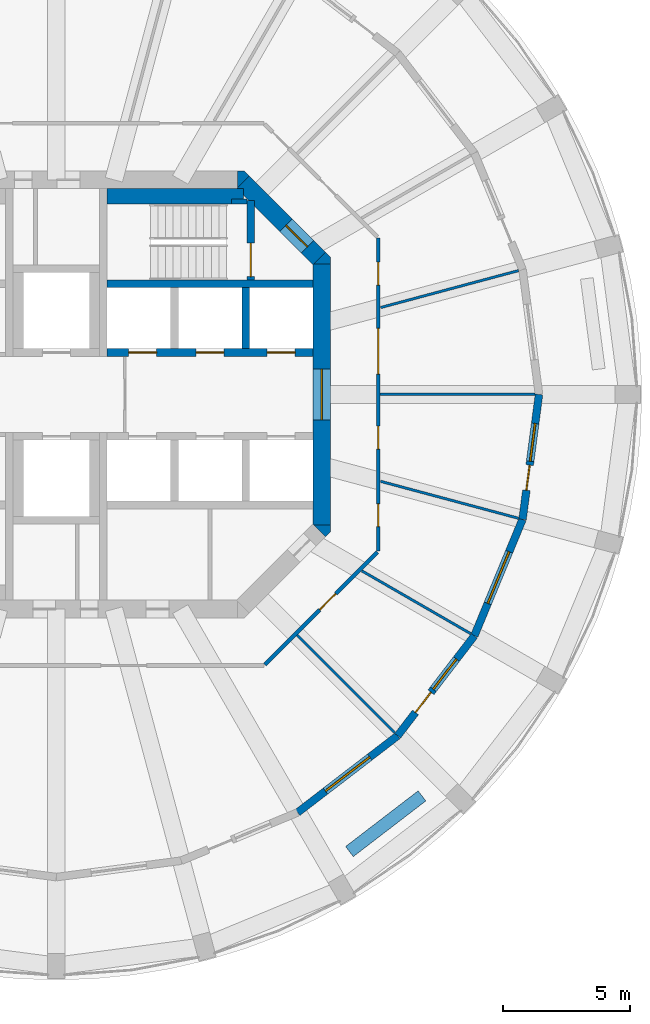
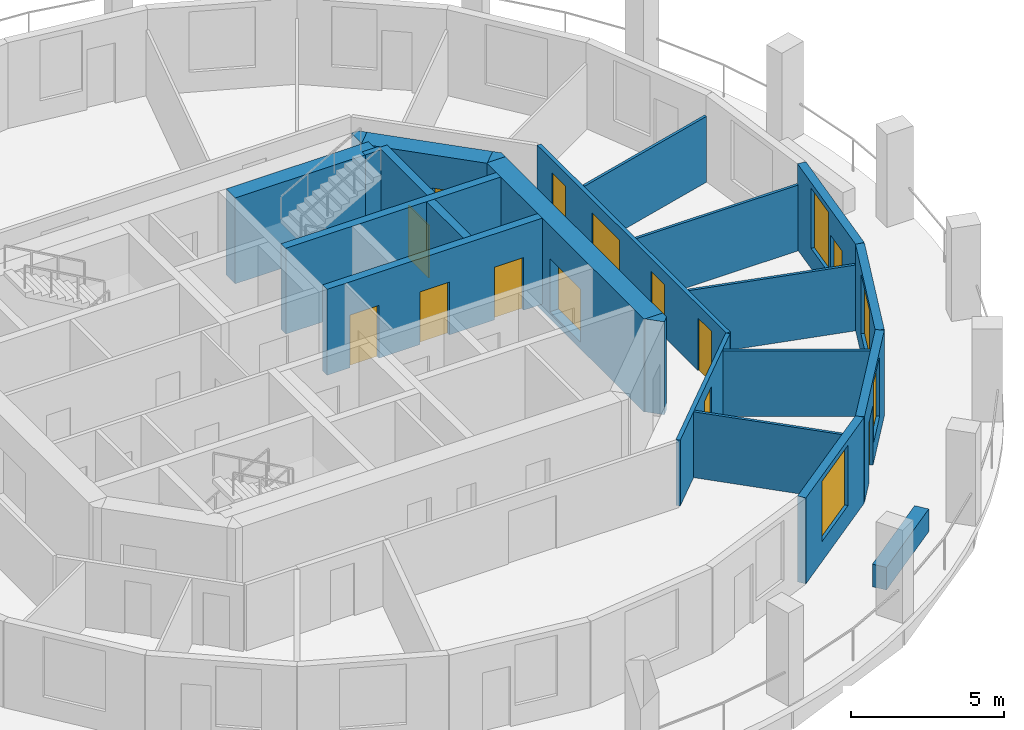
# One storey, part 5 of 9: 23 walls, 13 doors, 4 windows, 17 openings.
"""IFC4 building model written with IfcOpenShell, lengths in metres."""

from ifc_helpers import new_model, si_unit, direction, frame, frame_2d, origin, place, context, subcontext, project, spatial, polyline, rectangle, outline, extrude, material, layer, layer_set, type_object, element, fill, save


model = new_model("IFC4")

# Units and contexts
model_context = context("Model", 3, precision=1e-05, world=origin(), true_north=direction((0.0, 1.0)))
body_context = subcontext(model_context, "Body", "Model", "MODEL_VIEW")
ifc_project = project(units=[si_unit("LENGTHUNIT", "METRE"), si_unit("AREAUNIT", "SQUARE_METRE"), si_unit("VOLUMEUNIT", "CUBIC_METRE"), si_unit("PLANEANGLEUNIT", "RADIAN"), si_unit("MASSUNIT", "GRAM", prefix="KILO")], contexts=[model_context])

# Site, building, storey
site_placement = place(None, origin())
site = spatial("IfcSite", under=ifc_project, at=site_placement, CompositionType="ELEMENT")
building_placement = place(site_placement, origin())
building = spatial("IfcBuilding", under=site, at=building_placement, Name="Torre Triforio", CompositionType="ELEMENT")
storey_placement = place(building_placement, frame((0.0, 0.0, 154.199951171875)))
storey = spatial("IfcBuildingStorey", under=building, at=storey_placement, Name="L34", CompositionType="ELEMENT", Elevation=154.199951171875)

# Wall, opening, door
ifc_material_1 = material(Name="Concrete C50", Category="concrete")
ifc_layer_1 = layer(ifc_material_1, 0.699951171875)
ifc_layer_set_1 = layer_set([ifc_layer_1], Name="Concrete C50")
wall_type_1 = type_object("IfcWallType", Name="Core wall 700 mm C50 EI 120", PredefinedType="SHEAR", material=ifc_layer_set_1)
wall_1_placement = place(storey_placement, frame((10.449951171875, -5.1298828125, -0.280029296875), z_axis=(0.0, 0.0, 1.0), x_axis=(0.0, 1.0, 0.0)))
wall_1 = element("IfcWall", 1, at=wall_1_placement, inside=storey, type_object=wall_type_1, Name="Core wall", PredefinedType="SHEAR", context=body_context, shape_type="SweptSolid", body=[
    extrude(rectangle(XDim=10.259765625, YDim=0.699951171875, at=frame_2d((5.1298828125, 0.0))), origin(), (0.0, 0.0, 1.0), 3.7001953125),
])
opening_1_placement = place(wall_1_placement, frame((4.1298828125, 0.0, 0.280029296875)))
opening_1 = element("IfcOpeningElement", 2, at=opening_1_placement, cuts=wall_1, Name="Opening E-RING", PredefinedType="OPENING", context=body_context, shape_type="SweptSolid", body=[
    extrude(rectangle(XDim=2.0, YDim=2.10009765625, at=frame_2d((1.0, 1.050048828125))), frame((0.0, 0.35986328125, 0.0), z_axis=(0.0, -1.0, 0.0), x_axis=(1.0, 0.0, 0.0)), (0.0, 0.0, 1.0), 0.719970703125),
])
ifc_material_2 = material(Name="Hollow metal fire door leaf")
door_type_1 = type_object("IfcDoorType", Name="Lobby door 2000 x 2100 EI 60", OperationType="DOUBLE_DOOR_SINGLE_SWING", PredefinedType="DOOR", material=ifc_material_2)
door_1_placement = place(opening_1_placement, origin())
door_1 = element("IfcDoor", 3, at=door_1_placement, inside=storey, type_object=door_type_1, Name="Core door E-RING", OperationType="DOUBLE_DOOR_SINGLE_SWING", OverallHeight=2.10009765625, OverallWidth=2.0, PredefinedType="DOOR", context=body_context, shape_type="SweptSolid", body=[
    extrude(rectangle(XDim=2.0, YDim=2.10009765625, at=frame_2d((1.0, 1.050048828125))), frame((0.0, 0.02490234375, 0.0), z_axis=(0.0, -1.0, 0.0), x_axis=(1.0, 0.0, 0.0)), (0.0, 0.0, 1.0), 0.050048828125),
])
fill(opening_1, door_1)

wall_2_placement = place(storey_placement, frame((7.347412109375, 8.347412109375, -0.280029296875), z_axis=(0.0, 0.0, 1.0), x_axis=(0.707106781187, -0.707106781187, 0.0)))
wall_2 = element("IfcWall", 4, at=wall_2_placement, inside=storey, type_object=wall_type_1, Name="Core wall", PredefinedType="SHEAR", context=body_context, shape_type="SweptSolid", body=[
    extrude(rectangle(XDim=4.24267578125, YDim=0.699951171875, at=frame_2d((2.121337890625, 0.0))), origin(), (0.0, 0.0, 1.0), 3.7001953125),
])
opening_2_placement = place(wall_2_placement, frame((2.392578125, 0.0, 0.280029296875)))
opening_2 = element("IfcOpeningElement", 5, at=opening_2_placement, cuts=wall_2, Name="Opening ST2-EXIT", PredefinedType="OPENING", context=body_context, shape_type="SweptSolid", body=[
    extrude(rectangle(XDim=1.199951171875, YDim=2.10009765625, at=frame_2d((0.60009765625, 1.050048828125))), frame((0.0, 0.35986328125, 0.0), z_axis=(0.0, -1.0, 0.0), x_axis=(1.0, 0.0, 0.0)), (0.0, 0.0, 1.0), 0.719970703125),
])
door_type_2 = type_object("IfcDoorType", Name="Stair lobby door 1200 x 2100 EI 60", OperationType="NOTDEFINED", PredefinedType="DOOR", material=ifc_material_2)
door_2_placement = place(opening_2_placement, origin())
door_2 = element("IfcDoor", 6, at=door_2_placement, inside=storey, type_object=door_type_2, Name="Core door ST2-EXIT", OperationType="SINGLE_SWING_RIGHT", OverallHeight=2.10009765625, OverallWidth=1.199951171875, PredefinedType="DOOR", context=body_context, shape_type="SweptSolid", body=[
    extrude(rectangle(XDim=1.199951171875, YDim=2.10009765625, at=frame_2d((0.60009765625, 1.050048828125))), frame((0.0, 0.02490234375, 0.0), z_axis=(0.0, -1.0, 0.0), x_axis=(1.0, 0.0, 0.0)), (0.0, 0.0, 1.0), 0.050048828125),
])
fill(opening_2, door_2)

# Walls
wall_3_placement = place(storey_placement, frame((0.0, 0.0, -0.280029296875)))
element("IfcWall", 7, at=wall_3_placement, inside=storey, type_object=wall_type_1, Name="Core wall", PredefinedType="SHEAR", context=body_context, shape_type="SweptSolid", body=[
    extrude(outline(polyline([(10.800048828125, -5.389892578125), (10.594970703125, -5.594970703125), (10.594970703125, -5.594970703125), (10.594970703125, -5.594970703125), (10.1298828125, -5.1298828125), (10.800048828125, -5.1298828125), (10.800048828125, -5.1298828125), (10.800048828125, -5.389892578125)])), origin(), (0.0, 0.0, 1.0), 3.7001953125),
])
wall_4_placement = place(storey_placement, frame((0.0, 0.0, -0.280029296875)))
element("IfcWall", 8, at=wall_4_placement, inside=storey, type_object=wall_type_1, Name="Core wall", PredefinedType="SHEAR", context=body_context, shape_type="SweptSolid", body=[
    extrude(outline(polyline([(10.800048828125, 5.389892578125), (10.800048828125, 5.1298828125), (10.800048828125, 5.1298828125), (10.1298828125, 5.1298828125), (10.594970703125, 5.594970703125), (10.594970703125, 5.594970703125), (10.594970703125, 5.594970703125), (10.800048828125, 5.389892578125)])), origin(), (0.0, 0.0, 1.0), 3.7001953125),
])
wall_5_placement = place(storey_placement, frame((0.0, 0.0, -0.280029296875)))
element("IfcWall", 9, at=wall_5_placement, inside=storey, type_object=wall_type_1, Name="Core wall", PredefinedType="SHEAR", context=body_context, shape_type="SweptSolid", body=[
    extrude(outline(polyline([(7.389892578125, 8.800048828125), (7.594970703125, 8.594970703125), (7.594970703125, 8.594970703125), (7.594970703125, 8.594970703125), (7.1298828125, 8.1298828125), (7.1298828125, 8.800048828125), (7.1298828125, 8.800048828125), (7.389892578125, 8.800048828125)])), origin(), (0.0, 0.0, 1.0), 3.7001953125),
])

# Wall, opening, door
ifc_material_3 = material(Name="Plasterboard on metal studs")
ifc_layer_2 = layer(ifc_material_3, 0.14990234375)
ifc_layer_set_2 = layer_set([ifc_layer_2], Name="Plasterboard on metal studs")
wall_type_2 = type_object("IfcWallType", Name="Corridor and tenancy wall 150 mm EI 60", PredefinedType="PARTITIONING", material=ifc_layer_set_2)
wall_6_placement = place(storey_placement, frame((12.637939453125, -6.20361328125, 0.0), z_axis=(0.0, 0.0, 1.0), x_axis=(-0.707106781187, -0.707106781187, 0.0)))
wall_6 = element("IfcWall", 10, at=wall_6_placement, inside=storey, type_object=wall_type_2, Name="Partition 1", PredefinedType="PARTITIONING", context=body_context, shape_type="SweptSolid", body=[
    extrude(rectangle(XDim=6.27099609375, YDim=0.14990234375, at=frame_2d((3.135498046875, 0.0))), origin(), (0.0, 0.0, 1.0), 2.6201171875),
])
opening_3_placement = place(wall_6_placement, frame((2.313720703125, 0.0, 0.0)))
opening_3 = element("IfcOpeningElement", 11, at=opening_3_placement, cuts=wall_6, Name="Opening O1-14", PredefinedType="OPENING", context=body_context, shape_type="SweptSolid", body=[
    extrude(rectangle(XDim=0.89990234375, YDim=2.10009765625, at=frame_2d((0.449951171875, 1.050048828125))), frame((0.0, 0.0849609375, 0.0), z_axis=(0.0, -1.0, 0.0), x_axis=(1.0, 0.0, 0.0)), (0.0, 0.0, 1.0), 0.169921875),
])
ifc_material_4 = material(Name="Timber", Category="wood")
door_type_3 = type_object("IfcDoorType", Name="Door 900 x 2100 single leaf EI 30", OperationType="NOTDEFINED", PredefinedType="DOOR", material=ifc_material_4)
door_3_placement = place(opening_3_placement, origin())
door_3 = element("IfcDoor", 12, at=door_3_placement, inside=storey, type_object=door_type_3, Name="Door O1-14", OperationType="SINGLE_SWING_LEFT", OverallHeight=2.10009765625, OverallWidth=0.89990234375, PredefinedType="DOOR", context=body_context, shape_type="SweptSolid", body=[
    extrude(rectangle(XDim=0.89990234375, YDim=2.10009765625, at=frame_2d((0.449951171875, 1.050048828125))), frame((0.0, 0.02490234375, 0.0), z_axis=(0.0, -1.0, 0.0), x_axis=(1.0, 0.0, 0.0)), (0.0, 0.0, 1.0), 0.050048828125),
])
fill(opening_3, door_3)

# Wall, openings, doors
wall_7_placement = place(storey_placement, frame((12.675048828125, 6.16650390625, 0.0), z_axis=(0.0, 0.0, 1.0), x_axis=(0.0, -1.0, 0.0)))
wall_7 = element("IfcWall", 13, at=wall_7_placement, inside=storey, type_object=wall_type_2, Name="Partition 10", PredefinedType="PARTITIONING", context=body_context, shape_type="SweptSolid", body=[
    extrude(rectangle(XDim=12.3330078125, YDim=0.14990234375, at=frame_2d((6.16650390625, 0.0))), origin(), (0.0, 0.0, 1.0), 2.6201171875),
])
opening_4_placement = place(wall_7_placement, frame((3.567626953125, 0.0, 0.0)))
opening_4 = element("IfcOpeningElement", 14, at=opening_4_placement, cuts=wall_7, Name="Opening O1-01", PredefinedType="OPENING", context=body_context, shape_type="SweptSolid", body=[
    extrude(rectangle(XDim=1.800048828125, YDim=2.10009765625, at=frame_2d((0.89990234375, 1.050048828125))), frame((0.0, 0.0849609375, 0.0), z_axis=(0.0, -1.0, 0.0), x_axis=(1.0, 0.0, 0.0)), (0.0, 0.0, 1.0), 0.169921875),
])
opening_5_placement = place(wall_7_placement, frame((0.960205078125, 0.0, 0.0)))
opening_5 = element("IfcOpeningElement", 15, at=opening_5_placement, cuts=wall_7, Name="Opening O1-02", PredefinedType="OPENING", context=body_context, shape_type="SweptSolid", body=[
    extrude(rectangle(XDim=0.89990234375, YDim=2.10009765625, at=frame_2d((0.449951171875, 1.050048828125))), frame((0.0, 0.0849609375, 0.0), z_axis=(0.0, -1.0, 0.0), x_axis=(1.0, 0.0, 0.0)), (0.0, 0.0, 1.0), 0.169921875),
])
opening_6_placement = place(wall_7_placement, frame((10.47314453125, 0.0, 0.0)))
opening_6 = element("IfcOpeningElement", 16, at=opening_6_placement, cuts=wall_7, Name="Opening O1-15", PredefinedType="OPENING", context=body_context, shape_type="SweptSolid", body=[
    extrude(rectangle(XDim=0.89990234375, YDim=2.10009765625, at=frame_2d((0.449951171875, 1.050048828125))), frame((0.0, 0.0849609375, 0.0), z_axis=(0.0, -1.0, 0.0), x_axis=(1.0, 0.0, 0.0)), (0.0, 0.0, 1.0), 0.169921875),
])
opening_7_placement = place(wall_7_placement, frame((7.41552734375, 0.0, 0.0)))
opening_7 = element("IfcOpeningElement", 17, at=opening_7_placement, cuts=wall_7, Name="Opening O1-16", PredefinedType="OPENING", context=body_context, shape_type="SweptSolid", body=[
    extrude(rectangle(XDim=0.89990234375, YDim=2.10009765625, at=frame_2d((0.449951171875, 1.050048828125))), frame((0.0, 0.0849609375, 0.0), z_axis=(0.0, -1.0, 0.0), x_axis=(1.0, 0.0, 0.0)), (0.0, 0.0, 1.0), 0.169921875),
])
door_type_4 = type_object("IfcDoorType", Name="Door 1800 x 2100 double leaf EI 30", OperationType="DOUBLE_DOOR_SINGLE_SWING", PredefinedType="DOOR", material=ifc_material_4)
door_4_placement = place(opening_4_placement, origin())
door_4 = element("IfcDoor", 18, at=door_4_placement, inside=storey, type_object=door_type_4, Name="Door O1-01", OperationType="DOUBLE_DOOR_SINGLE_SWING", OverallHeight=2.10009765625, OverallWidth=1.800048828125, PredefinedType="DOOR", context=body_context, shape_type="SweptSolid", body=[
    extrude(rectangle(XDim=1.800048828125, YDim=2.10009765625, at=frame_2d((0.89990234375, 1.050048828125))), frame((0.0, 0.02490234375, 0.0), z_axis=(0.0, -1.0, 0.0), x_axis=(1.0, 0.0, 0.0)), (0.0, 0.0, 1.0), 0.050048828125),
])
fill(opening_4, door_4)
door_5_placement = place(opening_5_placement, origin())
door_5 = element("IfcDoor", 19, at=door_5_placement, inside=storey, type_object=door_type_3, Name="Door O1-02", OperationType="SINGLE_SWING_LEFT", OverallHeight=2.10009765625, OverallWidth=0.89990234375, PredefinedType="DOOR", context=body_context, shape_type="SweptSolid", body=[
    extrude(rectangle(XDim=0.89990234375, YDim=2.10009765625, at=frame_2d((0.449951171875, 1.050048828125))), frame((0.0, 0.02490234375, 0.0), z_axis=(0.0, -1.0, 0.0), x_axis=(1.0, 0.0, 0.0)), (0.0, 0.0, 1.0), 0.050048828125),
])
fill(opening_5, door_5)
door_6_placement = place(opening_6_placement, origin())
door_6 = element("IfcDoor", 20, at=door_6_placement, inside=storey, type_object=door_type_3, Name="Door O1-15", OperationType="SINGLE_SWING_LEFT", OverallHeight=2.10009765625, OverallWidth=0.89990234375, PredefinedType="DOOR", context=body_context, shape_type="SweptSolid", body=[
    extrude(rectangle(XDim=0.89990234375, YDim=2.10009765625, at=frame_2d((0.449951171875, 1.050048828125))), frame((0.0, 0.02490234375, 0.0), z_axis=(0.0, -1.0, 0.0), x_axis=(1.0, 0.0, 0.0)), (0.0, 0.0, 1.0), 0.050048828125),
])
fill(opening_6, door_6)
door_7_placement = place(opening_7_placement, origin())
door_7 = element("IfcDoor", 21, at=door_7_placement, inside=storey, type_object=door_type_3, Name="Door O1-16", OperationType="SINGLE_SWING_LEFT", OverallHeight=2.10009765625, OverallWidth=0.89990234375, PredefinedType="DOOR", context=body_context, shape_type="SweptSolid", body=[
    extrude(rectangle(XDim=0.89990234375, YDim=2.10009765625, at=frame_2d((0.449951171875, 1.050048828125))), frame((0.0, 0.02490234375, 0.0), z_axis=(0.0, -1.0, 0.0), x_axis=(1.0, 0.0, 0.0)), (0.0, 0.0, 1.0), 0.050048828125),
])
fill(opening_7, door_7)

# Walls
ifc_layer_3 = layer(ifc_material_3, 0.10009765625)
ifc_layer_set_3 = layer_set([ifc_layer_3], Name="Plasterboard on metal studs")
wall_type_3 = type_object("IfcWallType", Name="Partition 100 mm board on metal studs", PredefinedType="PARTITIONING", material=ifc_layer_set_3)
wall_8_placement = place(storey_placement, frame((12.75, 0.0, 0.0), z_axis=(0.0, 0.0, 1.0), x_axis=(1.0, 0.0, 0.0)))
element("IfcWall", 22, at=wall_8_placement, inside=storey, type_object=wall_type_3, Name="Partition 11", PredefinedType="PARTITIONING", context=body_context, shape_type="SweptSolid", body=[
    extrude(rectangle(XDim=6.086669921875, YDim=0.10009765625, at=frame_2d((3.04345703125, 0.0))), origin(), (0.0, 0.0, 1.0), 2.6201171875),
])
wall_9_placement = place(storey_placement, frame((12.764404296875, 3.420166015625, 0.0), z_axis=(0.0, 0.0, 1.0), x_axis=(0.965925759926, 0.258819292773, 0.0)))
element("IfcWall", 23, at=wall_9_placement, inside=storey, type_object=wall_type_3, Name="Partition 12", PredefinedType="PARTITIONING", context=body_context, shape_type="SweptSolid", body=[
    extrude(rectangle(XDim=5.6220703125, YDim=0.10009765625, at=frame_2d((2.81103515625, 0.0))), origin(), (0.0, 0.0, 1.0), 2.6201171875),
])
wall_10_placement = place(storey_placement, frame((9.473876953125, -9.473876953125, 0.0), z_axis=(0.0, 0.0, 1.0), x_axis=(0.707106781187, -0.707106781187, 0.0)))
element("IfcWall", 24, at=wall_10_placement, inside=storey, type_object=wall_type_3, Name="Partition 24", PredefinedType="PARTITIONING", context=body_context, shape_type="SweptSolid", body=[
    extrude(rectangle(XDim=5.438720703125, YDim=0.10009765625, at=frame_2d((2.71923828125, 0.0))), origin(), (0.0, 0.0, 1.0), 2.6201171875),
])
wall_11_placement = place(storey_placement, frame((12.025146484375, -6.94287109375, 0.0), z_axis=(0.0, 0.0, 1.0), x_axis=(0.866025463095, -0.499999897272, 0.0)))
element("IfcWall", 25, at=wall_11_placement, inside=storey, type_object=wall_type_3, Name="Partition 25", PredefinedType="PARTITIONING", context=body_context, shape_type="SweptSolid", body=[
    extrude(rectangle(XDim=4.951171875, YDim=0.10009765625, at=frame_2d((2.4755859375, 0.0))), origin(), (0.0, 0.0, 1.0), 2.6201171875),
])
wall_12_placement = place(storey_placement, frame((12.764404296875, -3.420166015625, 0.0), z_axis=(0.0, 0.0, 1.0), x_axis=(0.965925759926, -0.258819292773, 0.0)))
element("IfcWall", 26, at=wall_12_placement, inside=storey, type_object=wall_type_3, Name="Partition 26", PredefinedType="PARTITIONING", context=body_context, shape_type="SweptSolid", body=[
    extrude(rectangle(XDim=5.6220703125, YDim=0.10009765625, at=frame_2d((2.81103515625, 0.0))), origin(), (0.0, 0.0, 1.0), 2.6201171875),
])
ifc_material_5 = material(Name="Limestone cladding", Category="masonry")
ifc_layer_4 = layer(ifc_material_5, 0.10009765625)
ifc_material_6 = material(Name="Concrete C40", Category="concrete")
ifc_layer_5 = layer(ifc_material_6, 0.39990234375)
ifc_layer_set_4 = layer_set([ifc_layer_4, ifc_layer_5], Name="Limestone cladding / Concrete C40")
wall_type_4 = type_object("IfcWallType", Name="Planter wall 500", PredefinedType="PARAPET", material=ifc_layer_set_4)
wall_13_placement = place(storey_placement, frame((11.53857421875, -17.994140625, 0.0), z_axis=(0.0, 0.0, 1.0), x_axis=(0.793384730612, 0.608720518162, 0.0)))
element("IfcWall", 27, at=wall_13_placement, inside=storey, type_object=wall_type_4, Name="Planter L34 bay 21", PredefinedType="PARAPET", context=body_context, shape_type="SweptSolid", body=[
    extrude(rectangle(XDim=3.60009765625, YDim=0.5, at=frame_2d((1.800048828125, 0.0))), origin(), (0.0, 0.0, 1.0), 0.900146484375),
])
ifc_layer_6 = layer(ifc_material_1, 0.300048828125)
ifc_layer_set_5 = layer_set([ifc_layer_6], Name="Concrete C50")
wall_type_5 = type_object("IfcWallType", Name="Shaft wall 300 mm C50 EI 120", PredefinedType="SOLIDWALL", material=ifc_layer_set_5)
wall_14_placement = place(storey_placement, frame((2.0, 4.35009765625, 0.0), z_axis=(0.0, 0.0, 1.0), x_axis=(1.0, 0.0, 0.0)))
element("IfcWall", 28, at=wall_14_placement, inside=storey, type_object=wall_type_5, Name="Shaft wall", PredefinedType="SOLIDWALL", context=body_context, shape_type="SweptSolid", body=[
    extrude(rectangle(XDim=8.10009765625, YDim=0.300048828125, at=frame_2d((4.050048828125, 0.0))), origin(), (0.0, 0.0, 1.0), 3.420166015625),
])

# Wall, openings, doors
wall_15_placement = place(storey_placement, frame((2.0, 1.64990234375, 0.0), z_axis=(0.0, 0.0, 1.0), x_axis=(1.0, 0.0, 0.0)))
wall_15 = element("IfcWall", 29, at=wall_15_placement, inside=storey, type_object=wall_type_5, Name="Shaft wall", PredefinedType="SOLIDWALL", context=body_context, shape_type="SweptSolid", body=[
    extrude(rectangle(XDim=8.10009765625, YDim=0.300048828125, at=frame_2d((4.050048828125, 0.0))), origin(), (0.0, 0.0, 1.0), 3.420166015625),
])
opening_8_placement = place(wall_15_placement, frame((0.85009765625, 0.0, 0.0)))
opening_8 = element("IfcOpeningElement", 30, at=opening_8_placement, cuts=wall_15, Name="Opening LD", PredefinedType="OPENING", context=body_context, shape_type="SweptSolid", body=[
    extrude(rectangle(XDim=1.10009765625, YDim=2.10009765625, at=frame_2d((0.550048828125, 1.050048828125))), frame((0.0, 0.159912109375, 0.0), z_axis=(0.0, -1.0, 0.0), x_axis=(1.0, 0.0, 0.0)), (0.0, 0.0, 1.0), 0.320068359375),
])
opening_9_placement = place(wall_15_placement, frame((3.5, 0.0, 0.0)))
opening_9 = element("IfcOpeningElement", 31, at=opening_9_placement, cuts=wall_15, Name="Opening LD", PredefinedType="OPENING", context=body_context, shape_type="SweptSolid", body=[
    extrude(rectangle(XDim=1.10009765625, YDim=2.10009765625, at=frame_2d((0.550048828125, 1.050048828125))), frame((0.0, 0.159912109375, 0.0), z_axis=(0.0, -1.0, 0.0), x_axis=(1.0, 0.0, 0.0)), (0.0, 0.0, 1.0), 0.320068359375),
])
opening_10_placement = place(wall_15_placement, frame((6.300048828125, 0.0, 0.0)))
opening_10 = element("IfcOpeningElement", 32, at=opening_10_placement, cuts=wall_15, Name="Opening LD", PredefinedType="OPENING", context=body_context, shape_type="SweptSolid", body=[
    extrude(rectangle(XDim=1.10009765625, YDim=2.10009765625, at=frame_2d((0.550048828125, 1.050048828125))), frame((0.0, 0.159912109375, 0.0), z_axis=(0.0, -1.0, 0.0), x_axis=(1.0, 0.0, 0.0)), (0.0, 0.0, 1.0), 0.320068359375),
])
door_type_5 = type_object("IfcDoorType", Name="Landing door 1100 x 2100 EI 60", OperationType="DOUBLE_DOOR_SLIDING", PredefinedType="DOOR", material=ifc_material_2)
door_8_placement = place(opening_8_placement, origin())
door_8 = element("IfcDoor", 33, at=door_8_placement, inside=storey, type_object=door_type_5, Name="Landing door HR1", OperationType="DOUBLE_DOOR_SLIDING", OverallHeight=2.10009765625, OverallWidth=1.10009765625, PredefinedType="DOOR", context=body_context, shape_type="SweptSolid", body=[
    extrude(rectangle(XDim=1.10009765625, YDim=2.10009765625, at=frame_2d((0.550048828125, 1.050048828125))), frame((0.0, 0.02490234375, 0.0), z_axis=(0.0, -1.0, 0.0), x_axis=(1.0, 0.0, 0.0)), (0.0, 0.0, 1.0), 0.050048828125),
])
fill(opening_8, door_8)
door_9_placement = place(opening_9_placement, origin())
door_9 = element("IfcDoor", 34, at=door_9_placement, inside=storey, type_object=door_type_5, Name="Landing door HR2", OperationType="DOUBLE_DOOR_SLIDING", OverallHeight=2.10009765625, OverallWidth=1.10009765625, PredefinedType="DOOR", context=body_context, shape_type="SweptSolid", body=[
    extrude(rectangle(XDim=1.10009765625, YDim=2.10009765625, at=frame_2d((0.550048828125, 1.050048828125))), frame((0.0, 0.02490234375, 0.0), z_axis=(0.0, -1.0, 0.0), x_axis=(1.0, 0.0, 0.0)), (0.0, 0.0, 1.0), 0.050048828125),
])
fill(opening_9, door_9)
door_10_placement = place(opening_10_placement, origin())
door_10 = element("IfcDoor", 35, at=door_10_placement, inside=storey, type_object=door_type_5, Name="Landing door HR3", OperationType="DOUBLE_DOOR_SLIDING", OverallHeight=2.10009765625, OverallWidth=1.10009765625, PredefinedType="DOOR", context=body_context, shape_type="SweptSolid", body=[
    extrude(rectangle(XDim=1.10009765625, YDim=2.10009765625, at=frame_2d((0.550048828125, 1.050048828125))), frame((0.0, 0.02490234375, 0.0), z_axis=(0.0, -1.0, 0.0), x_axis=(1.0, 0.0, 0.0)), (0.0, 0.0, 1.0), 0.050048828125),
])
fill(opening_10, door_10)

# Walls
wall_16_placement = place(storey_placement, frame((7.449951171875, 1.800048828125, 0.0), z_axis=(0.0, 0.0, 1.0), x_axis=(0.0, 1.0, 0.0)))
element("IfcWall", 36, at=wall_16_placement, inside=storey, type_object=wall_type_5, Name="Shaft wall", PredefinedType="SOLIDWALL", context=body_context, shape_type="SweptSolid", body=[
    extrude(rectangle(XDim=2.39990234375, YDim=0.300048828125, at=frame_2d((1.199951171875, 0.0))), origin(), (0.0, 0.0, 1.0), 3.420166015625),
])
ifc_layer_7 = layer(ifc_material_1, 0.199951171875)
ifc_layer_set_6 = layer_set([ifc_layer_7], Name="Concrete C50")
wall_type_6 = type_object("IfcWallType", Name="Stair wall 200 mm C50 EI 120", PredefinedType="SHEAR", material=ifc_layer_set_6)
wall_17_placement = place(storey_placement, frame((6.89990234375, 7.60009765625, 0.0), z_axis=(0.0, 0.0, 1.0), x_axis=(1.0, 0.0, 0.0)))
element("IfcWall", 37, at=wall_17_placement, inside=storey, type_object=wall_type_6, Name="Stair wall", PredefinedType="SHEAR", context=body_context, shape_type="SweptSolid", body=[
    extrude(rectangle(XDim=0.60009765625, YDim=0.199951171875, at=frame_2d((0.300048828125, 0.0))), origin(), (0.0, 0.0, 1.0), 3.420166015625),
])

# Wall, opening, door
ifc_layer_8 = layer(ifc_material_1, 0.300048828125)
ifc_layer_set_7 = layer_set([ifc_layer_8], Name="Concrete C50")
wall_type_7 = type_object("IfcWallType", Name="Stair wall 300 mm C50 EI 120", PredefinedType="SHEAR", material=ifc_layer_set_7)
wall_18_placement = place(storey_placement, frame((7.64990234375, 4.5, 0.0), z_axis=(0.0, 0.0, 1.0), x_axis=(0.0, 1.0, 0.0)))
wall_18 = element("IfcWall", 38, at=wall_18_placement, inside=storey, type_object=wall_type_7, Name="Stair wall", PredefinedType="SHEAR", context=body_context, shape_type="SweptSolid", body=[
    extrude(rectangle(XDim=3.139892578125, YDim=0.300048828125, at=frame_2d((1.56982421875, 0.0))), origin(), (0.0, 0.0, 1.0), 3.420166015625),
])
opening_11_placement = place(wall_18_placement, frame((0.139892578125, 0.0, 0.0)))
opening_11 = element("IfcOpeningElement", 39, at=opening_11_placement, cuts=wall_18, Name="Opening ST2-STA", PredefinedType="OPENING", context=body_context, shape_type="SweptSolid", body=[
    extrude(rectangle(XDim=1.320068359375, YDim=2.10009765625, at=frame_2d((0.66015625, 1.050048828125))), frame((0.0, 0.159912109375, 0.0), z_axis=(0.0, -1.0, 0.0), x_axis=(1.0, 0.0, 0.0)), (0.0, 0.0, 1.0), 0.320068359375),
])
door_type_6 = type_object("IfcDoorType", Name="Stair door 1320 x 2100 EI 90", OperationType="DOUBLE_DOOR_SINGLE_SWING", PredefinedType="DOOR", material=ifc_material_2)
door_11_placement = place(opening_11_placement, origin())
door_11 = element("IfcDoor", 40, at=door_11_placement, inside=storey, type_object=door_type_6, Name="Core door ST2-ST", OperationType="DOUBLE_DOOR_SINGLE_SWING", OverallHeight=2.10009765625, OverallWidth=1.320068359375, PredefinedType="DOOR", context=body_context, shape_type="SweptSolid", body=[
    extrude(rectangle(XDim=1.320068359375, YDim=2.10009765625, at=frame_2d((0.66015625, 1.050048828125))), frame((0.0, 0.02490234375, 0.0), z_axis=(0.0, -1.0, 0.0), x_axis=(1.0, 0.0, 0.0)), (0.0, 0.0, 1.0), 0.050048828125),
])
fill(opening_11, door_11)

# Wall
ifc_layer_9 = layer(ifc_material_1, 0.60009765625)
ifc_layer_set_8 = layer_set([ifc_layer_9], Name="Concrete C50")
wall_type_8 = type_object("IfcWallType", Name="Stair wall 600 mm C50 EI 120", PredefinedType="SHEAR", material=ifc_layer_set_8)
wall_19_placement = place(storey_placement, frame((2.0, 7.800048828125, 0.0), z_axis=(0.0, 0.0, 1.0), x_axis=(1.0, 0.0, 0.0)))
element("IfcWall", 41, at=wall_19_placement, inside=storey, type_object=wall_type_8, Name="Stair wall", PredefinedType="SHEAR", context=body_context, shape_type="SweptSolid", body=[
    extrude(rectangle(XDim=5.3701171875, YDim=0.60009765625, at=frame_2d((2.68505859375, 0.0))), origin(), (0.0, 0.0, 1.0), 3.420166015625),
])

# Wall, opening, window
ifc_layer_10 = layer(ifc_material_5, 0.10009765625)
ifc_layer_11 = layer(ifc_material_6, 0.199951171875)
ifc_layer_set_9 = layer_set([ifc_layer_10, ifc_layer_11], Name="Limestone cladding / Concrete C40")
wall_type_9 = type_object("IfcWallType", Name="Stone-faced composite wall 300", PredefinedType="STANDARD", material=ifc_layer_set_9)
wall_20_placement = place(storey_placement, frame((9.5, -16.45458984375, 0.0), z_axis=(0.0, 0.0, 1.0), x_axis=(0.793348024649, 0.608768356425, 0.0)))
wall_20 = element("IfcWall", 42, at=wall_20_placement, inside=storey, type_object=wall_type_9, Name="External wall L34 bay 21", PredefinedType="STANDARD", context=body_context, shape_type="SweptSolid", body=[
    extrude(rectangle(XDim=4.9599609375, YDim=0.300048828125, at=frame_2d((2.47998046875, 0.0))), origin(), (0.0, 0.0, 1.0), 3.420166015625),
])
opening_12_placement = place(wall_20_placement, frame((1.3798828125, 0.0, 0.800048828125)))
opening_12 = element("IfcOpeningElement", 43, at=opening_12_placement, cuts=wall_20, Name="Opening O1-W21", PredefinedType="OPENING", context=body_context, shape_type="SweptSolid", body=[
    extrude(rectangle(XDim=2.199951171875, YDim=2.39990234375, at=frame_2d((1.10009765625, 1.199951171875))), frame((0.0, 0.159912109375, 0.0), z_axis=(0.0, -1.0, 0.0), x_axis=(1.0, 0.0, 0.0)), (0.0, 0.0, 1.0), 0.320068359375),
])
ifc_material_7 = material(Name="Aluminium frame with clear double glazing", Category="aluminium")
window_type_1 = type_object("IfcWindowType", Name="Punched window 2200 x 2400", PartitioningType="DOUBLE_PANEL_VERTICAL", PredefinedType="WINDOW", material=ifc_material_7)
window_1_placement = place(opening_12_placement, origin())
window_1 = element("IfcWindow", 44, at=window_1_placement, inside=storey, type_object=window_type_1, Name="Window EWN5 L34 bay 21", OverallHeight=2.39990234375, OverallWidth=2.199951171875, PartitioningType="SINGLE_PANEL", PredefinedType="WINDOW", context=body_context, shape_type="SweptSolid", body=[
    extrude(rectangle(XDim=2.199951171875, YDim=2.39990234375, at=frame_2d((1.10009765625, 1.199951171875))), frame((0.0, 0.030029296875, 0.0), z_axis=(0.0, -1.0, 0.0), x_axis=(1.0, 0.0, 0.0)), (0.0, 0.0, 1.0), 0.06005859375),
])
fill(opening_12, window_1)

# Wall, openings, door, window
wall_21_placement = place(storey_placement, frame((13.43505859375, -13.43505859375, 0.0), z_axis=(0.0, 0.0, 1.0), x_axis=(0.608768356425, 0.793348024649, 0.0)))
wall_21 = element("IfcWall", 45, at=wall_21_placement, inside=storey, type_object=wall_type_9, Name="External wall L34 bay 22", PredefinedType="STANDARD", context=body_context, shape_type="SweptSolid", body=[
    extrude(rectangle(XDim=4.9599609375, YDim=0.300048828125, at=frame_2d((2.47998046875, 0.0))), origin(), (0.0, 0.0, 1.0), 3.420166015625),
])
opening_13_placement = place(wall_21_placement, frame((1.155029296875, 0.0, 0.0)))
opening_13 = element("IfcOpeningElement", 46, at=opening_13_placement, cuts=wall_21, Name="Opening O1-D22", PredefinedType="OPENING", context=body_context, shape_type="SweptSolid", body=[
    extrude(rectangle(XDim=1.0, YDim=2.39990234375, at=frame_2d((0.5, 1.199951171875))), frame((0.0, 0.159912109375, 0.0), z_axis=(0.0, -1.0, 0.0), x_axis=(1.0, 0.0, 0.0)), (0.0, 0.0, 1.0), 0.320068359375),
])
opening_14_placement = place(wall_21_placement, frame((2.304931640625, 0.0, 0.800048828125)))
opening_14 = element("IfcOpeningElement", 47, at=opening_14_placement, cuts=wall_21, Name="Opening O1-W22A", PredefinedType="OPENING", context=body_context, shape_type="SweptSolid", body=[
    extrude(rectangle(XDim=1.5, YDim=2.39990234375, at=frame_2d((0.75, 1.199951171875))), frame((0.0, 0.159912109375, 0.0), z_axis=(0.0, -1.0, 0.0), x_axis=(1.0, 0.0, 0.0)), (0.0, 0.0, 1.0), 0.320068359375),
])
door_type_7 = type_object("IfcDoorType", Name="Loggia door 1000 x 2400", OperationType="NOTDEFINED", PredefinedType="DOOR", material=ifc_material_7)
door_12_placement = place(opening_13_placement, origin())
door_12 = element("IfcDoor", 48, at=door_12_placement, inside=storey, type_object=door_type_7, Name="Loggia door L34 bay 22", OperationType="SINGLE_SWING_LEFT", OverallHeight=2.39990234375, OverallWidth=1.0, PredefinedType="DOOR", context=body_context, shape_type="SweptSolid", body=[
    extrude(rectangle(XDim=1.0, YDim=2.39990234375, at=frame_2d((0.5, 1.199951171875))), frame((0.0, 0.02490234375, 0.0), z_axis=(0.0, -1.0, 0.0), x_axis=(1.0, 0.0, 0.0)), (0.0, 0.0, 1.0), 0.050048828125),
])
fill(opening_13, door_12)
window_type_2 = type_object("IfcWindowType", Name="Side window 1500 x 2400", PartitioningType="SINGLE_PANEL", PredefinedType="WINDOW", material=ifc_material_7)
window_2_placement = place(opening_14_placement, origin())
window_2 = element("IfcWindow", 49, at=window_2_placement, inside=storey, type_object=window_type_2, Name="Side window EWN14 L34 bay 22", OverallHeight=2.39990234375, OverallWidth=1.5, PartitioningType="SINGLE_PANEL", PredefinedType="WINDOW", context=body_context, shape_type="SweptSolid", body=[
    extrude(rectangle(XDim=1.5, YDim=2.39990234375, at=frame_2d((0.75, 1.199951171875))), frame((0.0, 0.030029296875, 0.0), z_axis=(0.0, -1.0, 0.0), x_axis=(1.0, 0.0, 0.0)), (0.0, 0.0, 1.0), 0.06005859375),
])
fill(opening_14, window_2)

# Wall, opening, window
wall_22_placement = place(storey_placement, frame((16.45458984375, -9.5, 0.0), z_axis=(0.0, 0.0, 1.0), x_axis=(0.382650301762, 0.923893254961, 0.0)))
wall_22 = element("IfcWall", 50, at=wall_22_placement, inside=storey, type_object=wall_type_9, Name="External wall L34 bay 23", PredefinedType="STANDARD", context=body_context, shape_type="SweptSolid", body=[
    extrude(rectangle(XDim=4.9599609375, YDim=0.300048828125, at=frame_2d((2.47998046875, 0.0))), origin(), (0.0, 0.0, 1.0), 3.420166015625),
])
opening_15_placement = place(wall_22_placement, frame((1.3798828125, 0.0, 0.800048828125)))
opening_15 = element("IfcOpeningElement", 51, at=opening_15_placement, cuts=wall_22, Name="Opening O1-W23", PredefinedType="OPENING", context=body_context, shape_type="SweptSolid", body=[
    extrude(rectangle(XDim=2.199951171875, YDim=2.39990234375, at=frame_2d((1.10009765625, 1.199951171875))), frame((0.0, 0.159912109375, 0.0), z_axis=(0.0, -1.0, 0.0), x_axis=(1.0, 0.0, 0.0)), (0.0, 0.0, 1.0), 0.320068359375),
])
window_3_placement = place(opening_15_placement, origin())
window_3 = element("IfcWindow", 52, at=window_3_placement, inside=storey, type_object=window_type_1, Name="Window EWN5 L34 bay 23", OverallHeight=2.39990234375, OverallWidth=2.199951171875, PartitioningType="SINGLE_PANEL", PredefinedType="WINDOW", context=body_context, shape_type="SweptSolid", body=[
    extrude(rectangle(XDim=2.199951171875, YDim=2.39990234375, at=frame_2d((1.10009765625, 1.199951171875))), frame((0.0, 0.030029296875, 0.0), z_axis=(0.0, -1.0, 0.0), x_axis=(1.0, 0.0, 0.0)), (0.0, 0.0, 1.0), 0.06005859375),
])
fill(opening_15, window_3)

# Wall, openings, door, window
wall_23_placement = place(storey_placement, frame((18.3525390625, -4.91748046875, 0.0), z_axis=(0.0, 0.0, 1.0), x_axis=(0.130538549191, 0.991443234469, 0.0)))
wall_23 = element("IfcWall", 53, at=wall_23_placement, inside=storey, type_object=wall_type_9, Name="External wall L34 bay 24", PredefinedType="STANDARD", context=body_context, shape_type="SweptSolid", body=[
    extrude(rectangle(XDim=4.9599609375, YDim=0.300048828125, at=frame_2d((2.47998046875, 0.0))), origin(), (0.0, 0.0, 1.0), 3.420166015625),
])
opening_16_placement = place(wall_23_placement, frame((1.155029296875, 0.0, 0.0)))
opening_16 = element("IfcOpeningElement", 54, at=opening_16_placement, cuts=wall_23, Name="Opening O1-D24", PredefinedType="OPENING", context=body_context, shape_type="SweptSolid", body=[
    extrude(rectangle(XDim=1.0, YDim=2.39990234375, at=frame_2d((0.5, 1.199951171875))), frame((0.0, 0.159912109375, 0.0), z_axis=(0.0, -1.0, 0.0), x_axis=(1.0, 0.0, 0.0)), (0.0, 0.0, 1.0), 0.320068359375),
])
opening_17_placement = place(wall_23_placement, frame((2.304931640625, 0.0, 0.800048828125)))
opening_17 = element("IfcOpeningElement", 55, at=opening_17_placement, cuts=wall_23, Name="Opening O1-W24A", PredefinedType="OPENING", context=body_context, shape_type="SweptSolid", body=[
    extrude(rectangle(XDim=1.5, YDim=2.39990234375, at=frame_2d((0.75, 1.199951171875))), frame((0.0, 0.159912109375, 0.0), z_axis=(0.0, -1.0, 0.0), x_axis=(1.0, 0.0, 0.0)), (0.0, 0.0, 1.0), 0.320068359375),
])
door_13_placement = place(opening_16_placement, origin())
door_13 = element("IfcDoor", 56, at=door_13_placement, inside=storey, type_object=door_type_7, Name="Loggia door L34 bay 24", OperationType="SINGLE_SWING_LEFT", OverallHeight=2.39990234375, OverallWidth=1.0, PredefinedType="DOOR", context=body_context, shape_type="SweptSolid", body=[
    extrude(rectangle(XDim=1.0, YDim=2.39990234375, at=frame_2d((0.5, 1.199951171875))), frame((0.0, 0.02490234375, 0.0), z_axis=(0.0, -1.0, 0.0), x_axis=(1.0, 0.0, 0.0)), (0.0, 0.0, 1.0), 0.050048828125),
])
fill(opening_16, door_13)
window_4_placement = place(opening_17_placement, origin())
window_4 = element("IfcWindow", 57, at=window_4_placement, inside=storey, type_object=window_type_2, Name="Side window EWN14 L34 bay 24", OverallHeight=2.39990234375, OverallWidth=1.5, PartitioningType="SINGLE_PANEL", PredefinedType="WINDOW", context=body_context, shape_type="SweptSolid", body=[
    extrude(rectangle(XDim=1.5, YDim=2.39990234375, at=frame_2d((0.75, 1.199951171875))), frame((0.0, 0.030029296875, 0.0), z_axis=(0.0, -1.0, 0.0), x_axis=(1.0, 0.0, 0.0)), (0.0, 0.0, 1.0), 0.06005859375),
])
fill(opening_17, window_4)

save(model, "model.ifc")
